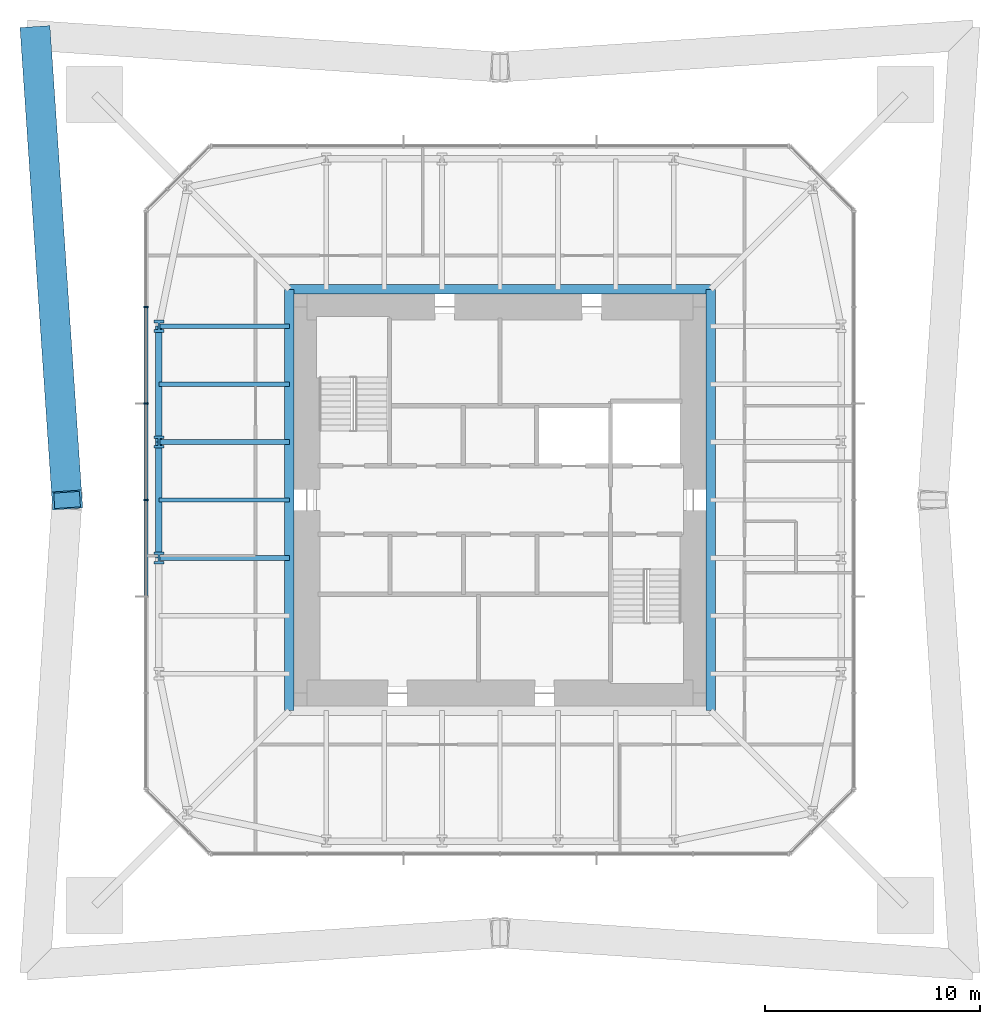
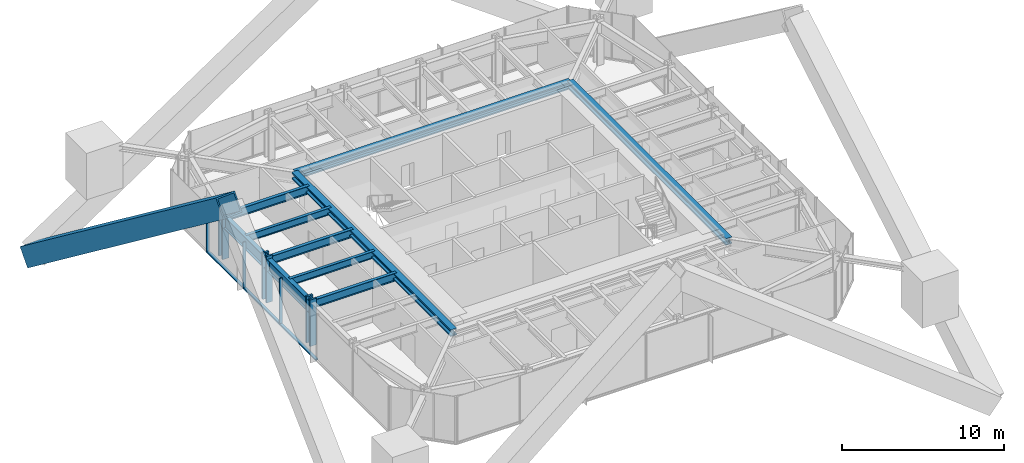
# One storey, part 3 of 11: 10 beams, 10 members, 1 element without a shape of its own.
"""IFC4 building model written with IfcOpenShell, lengths in metres."""

from ifc_helpers import new_model, si_unit, direction, frame, origin, origin_2d, place, context, subcontext, project, spatial, rectangle, hollow_rectangle, i_section, extrude, material, material_profile, profile_set, type_object, element, aggregate, save


model = new_model("IFC4")

# Units and contexts
model_context = context("Model", 3, precision=1e-05, world=origin(), true_north=direction((0.0, 1.0)))
body_context = subcontext(model_context, "Body", "Model", "MODEL_VIEW")
ifc_project = project(units=[si_unit("LENGTHUNIT", "METRE"), si_unit("AREAUNIT", "SQUARE_METRE"), si_unit("VOLUMEUNIT", "CUBIC_METRE"), si_unit("PLANEANGLEUNIT", "RADIAN"), si_unit("MASSUNIT", "GRAM", prefix="KILO")], contexts=[model_context])

# Site, building, storey
site_placement = place(None, origin())
site = spatial("IfcSite", under=ifc_project, at=site_placement, CompositionType="ELEMENT")
building_placement = place(site_placement, origin())
building = spatial("IfcBuilding", under=site, at=building_placement, Name="Iwan Alto Co-Living Towers", CompositionType="ELEMENT")
storey_placement = place(building_placement, frame((0.0, 0.0, 215.0)))
storey = spatial("IfcBuildingStorey", under=building, at=storey_placement, Name="L58", CompositionType="ELEMENT", Elevation=215.0)

# Curtain wall, members
ifc_material_1 = material(Name="Bronze aluminium unitised frame", Category="aluminium")
curtain_wall_type = type_object("IfcCurtainWallType", Name="CURTAIN WALL CW-A", PredefinedType="NOTDEFINED", material=ifc_material_1)
curtain_wall_placement = place(storey_placement, origin())
curtain_wall = element("IfcCurtainWall", 1, at=curtain_wall_placement, inside=storey, type_object=curtain_wall_type, Name="T1 curtain wall W L58", PredefinedType="NOTDEFINED")
ifc_material_2 = material(Name="Aluminium 6063-T6 bronze anodised", Category="aluminium")
ifc_material_profile_1 = material_profile(ifc_material_2, rectangle(XDim=0.199951171875, YDim=0.080078125, at=origin_2d()), Name="AL 80X200")
ifc_profile_set_1 = profile_set([ifc_material_profile_1], Name="Aluminium 6063-T6 bronze anodised")
member_type_1 = type_object("IfcMemberType", Name="CW-A MULLION 80X200", PredefinedType="MULLION", material=ifc_profile_set_1)
member_1_placement = place(storey_placement, frame((-16.5, 9.0, 0.0), z_axis=(0.0, 0.0, 1.0), x_axis=(1.0, 0.0, 0.0)))
member_1 = element("IfcMember", 2, at=member_1_placement, type_object=member_type_1, Name="CW-A mullion 2", PredefinedType="MULLION", context=body_context, shape_type="SweptSolid", body=[
    extrude(rectangle(XDim=0.199951171875, YDim=0.080078125, at=origin_2d()), origin(), (0.0, 0.0, 1.0), 3.5),
])
member_2_placement = place(storey_placement, frame((-16.5, 4.5, 0.0), z_axis=(0.0, 0.0, 1.0), x_axis=(1.0, 0.0, 0.0)))
member_2 = element("IfcMember", 3, at=member_2_placement, type_object=member_type_1, Name="CW-A mullion 3", PredefinedType="MULLION", context=body_context, shape_type="SweptSolid", body=[
    extrude(rectangle(XDim=0.199951171875, YDim=0.080078125, at=origin_2d()), origin(), (0.0, 0.0, 1.0), 3.5),
])
member_3_placement = place(storey_placement, frame((-16.5, 0.0, 0.0), z_axis=(0.0, 0.0, 1.0), x_axis=(1.0, 0.0, 0.0)))
member_3 = element("IfcMember", 4, at=member_3_placement, type_object=member_type_1, Name="CW-A mullion 4", PredefinedType="MULLION", context=body_context, shape_type="SweptSolid", body=[
    extrude(rectangle(XDim=0.199951171875, YDim=0.080078125, at=origin_2d()), origin(), (0.0, 0.0, 1.0), 3.5),
])
ifc_material_3 = material(Name="Aluminium 6063-T6 bronze anodised", Category="aluminium")
ifc_material_profile_2 = material_profile(ifc_material_3, rectangle(XDim=0.199951171875, YDim=0.10009765625, at=origin_2d()), Name="AL 200X100")
ifc_profile_set_2 = profile_set([ifc_material_profile_2], Name="Aluminium 6063-T6 bronze anodised")
member_type_2 = type_object("IfcMemberType", Name="CW-A TRANSOM 200X100", PredefinedType="USERDEFINED", material=ifc_profile_set_2)
member_4_placement = place(storey_placement, frame((-16.5, 8.9599609375, 0.050048828125), z_axis=(0.0, -1.0, 0.0), x_axis=(1.0, 0.0, 0.0)))
member_4 = element("IfcMember", 5, at=member_4_placement, type_object=member_type_2, Name="CW-A transom 2.1", ObjectType="TRANSOM", PredefinedType="USERDEFINED", context=body_context, shape_type="SweptSolid", body=[
    extrude(rectangle(XDim=0.199951171875, YDim=0.10009765625, at=origin_2d()), origin(), (0.0, 0.0, 1.0), 4.419921875),
])
member_5_placement = place(storey_placement, frame((-16.5, 4.4599609375, 0.050048828125), z_axis=(0.0, -1.0, 0.0), x_axis=(1.0, 0.0, 0.0)))
member_5 = element("IfcMember", 6, at=member_5_placement, type_object=member_type_2, Name="CW-A transom 3.1", ObjectType="TRANSOM", PredefinedType="USERDEFINED", context=body_context, shape_type="SweptSolid", body=[
    extrude(rectangle(XDim=0.199951171875, YDim=0.10009765625, at=origin_2d()), origin(), (0.0, 0.0, 1.0), 4.419921875),
])
member_6_placement = place(storey_placement, frame((-16.5, -0.0400390625, 0.050048828125), z_axis=(0.0, -1.0, 0.0), x_axis=(1.0, 0.0, 0.0)))
member_6 = element("IfcMember", 7, at=member_6_placement, type_object=member_type_2, Name="CW-A transom 4.1", ObjectType="TRANSOM", PredefinedType="USERDEFINED", context=body_context, shape_type="SweptSolid", body=[
    extrude(rectangle(XDim=0.199951171875, YDim=0.10009765625, at=origin_2d()), origin(), (0.0, 0.0, 1.0), 4.419921875),
])
aggregate(curtain_wall, [member_1, member_2, member_3, member_4, member_5, member_6])

# Beams
ifc_material_4 = material(Name="Steel ASTM A992 Gr 50", Category="steel")
ifc_material_profile_3 = material_profile(ifc_material_4, i_section(OverallWidth=0.436767578125, OverallDepth=0.51318359375, WebThickness=0.060546875, FlangeThickness=0.096923828125, at=origin_2d()), Name="W14X550")
ifc_profile_set_3 = profile_set([ifc_material_profile_3], Name="Steel ASTM A992 Gr 50")
beam_type_1 = type_object("IfcBeamType", Name="T1 CORE LEDGER BEAM W14X550", PredefinedType="BEAM", material=ifc_profile_set_3)
for number, where, z_axis, x_axis, name in (
    (8, (9.818359375, -9.818359375, 3.013427734375), (0.0, 1.0, 0.0), (-1.0, 0.0, 0.0), "T1 core ledger beam E L59"),
    (9, (9.818359375, 9.818359375, 3.013427734375), (-1.0, 0.0, 0.0), (0.0, -1.0, 0.0), "T1 core ledger beam N L59"),
    (10, (-9.818359375, 9.818359375, 3.013427734375), (0.0, -1.0, 0.0), (1.0, 0.0, 0.0), "T1 core ledger beam W L59"),
):
    element("IfcBeam", number, at=place(storey_placement, frame(where, z_axis=z_axis, x_axis=x_axis)), inside=storey, type_object=beam_type_1, Name=name, PredefinedType="BEAM", context=body_context, shape_type="SweptSolid", body=[
        extrude(i_section(OverallWidth=0.436767578125, OverallDepth=0.51318359375, WebThickness=0.060546875, FlangeThickness=0.096923828125, at=origin_2d()), origin(), (0.0, 0.0, 1.0), 19.63671875),
    ])
ifc_material_5 = material(Name="Steel ASTM A992 Gr 50", Category="steel")
ifc_material_profile_4 = material_profile(ifc_material_5, i_section(OverallWidth=0.307373046875, OverallDepth=0.927001953125, WebThickness=0.01953125, FlangeThickness=0.031982421875, at=origin_2d()), Name="W36X194")
ifc_profile_set_4 = profile_set([ifc_material_profile_4], Name="Steel ASTM A992 Gr 50")
beam_type_2 = type_object("IfcBeamType", Name="T1 EDGE BEAM W36X194", PredefinedType="BEAM", material=ifc_profile_set_4)
beam_1_placement = place(storey_placement, frame((-15.89990234375, 8.10009765625, 2.806396484375), z_axis=(0.0, -1.0, 0.0), x_axis=(1.0, 0.0, 0.0)))
element("IfcBeam", 11, at=beam_1_placement, inside=storey, type_object=beam_type_2, Name="T1 edge beam W1 L59", PredefinedType="BEAM", context=body_context, shape_type="SweptSolid", body=[
    extrude(i_section(OverallWidth=0.307373046875, OverallDepth=0.927001953125, WebThickness=0.01953125, FlangeThickness=0.031982421875, at=origin_2d()), origin(), (0.0, 0.0, 1.0), 5.400146484375),
])
beam_2_placement = place(storey_placement, frame((-15.89990234375, 2.699951171875, 2.806396484375), z_axis=(0.0, -1.0, 0.0), x_axis=(1.0, 0.0, 0.0)))
element("IfcBeam", 12, at=beam_2_placement, inside=storey, type_object=beam_type_2, Name="T1 edge beam W2 L59", PredefinedType="BEAM", context=body_context, shape_type="SweptSolid", body=[
    extrude(i_section(OverallWidth=0.307373046875, OverallDepth=0.927001953125, WebThickness=0.01953125, FlangeThickness=0.031982421875, at=origin_2d()), origin(), (0.0, 0.0, 1.0), 5.39990234375),
])

# Member
ifc_material_6 = material(Name="Steel ASTM A572 Gr 50", Category="steel")
ifc_material_profile_5 = material_profile(ifc_material_6, hollow_rectangle(XDim=1.39990234375, YDim=1.39990234375, WallThickness=0.10009765625, at=origin_2d()), Name="BOX 1400X1400X100")
ifc_profile_set_5 = profile_set([ifc_material_profile_5], Name="Steel ASTM A572 Gr 50")
member_type_3 = type_object("IfcMemberType", Name="T1 MEGA BRACE BOX 1400X1400X100", PredefinedType="BRACE", material=ifc_profile_set_5)
member_7_placement = place(storey_placement, frame((-21.64990234375, 21.64990234375, -6.0), z_axis=(0.054119059235, -0.797999656611, 0.600223021448), x_axis=(0.997708234793, 0.067662975304, 0.0)))
element("IfcMember", 13, at=member_7_placement, inside=storey, type_object=member_type_3, Name="T1 mega brace Z4A W 1 lower", PredefinedType="BRACE", context=body_context, shape_type="SweptSolid", body=[
    extrude(hollow_rectangle(XDim=1.39990234375, YDim=1.39990234375, WallThickness=0.10009765625, at=origin_2d()), origin(), (0.0, 0.0, 1.0), 27.130126953125),
])

# Beams
ifc_material_7 = material(Name="Steel ASTM A992 Gr 50", Category="steel")
ifc_material_profile_6 = material_profile(ifc_material_7, i_section(OverallWidth=0.228271484375, OverallDepth=0.607177734375, WebThickness=0.01123046875, FlangeThickness=0.017333984375, at=origin_2d()), Name="W24X76")
ifc_profile_set_6 = profile_set([ifc_material_profile_6], Name="Steel ASTM A992 Gr 50")
beam_type_3 = type_object("IfcBeamType", Name="T1 RADIAL BEAM W24X76", PredefinedType="BEAM", material=ifc_profile_set_6)
for number, where, z_axis, x_axis, name in (
    (14, (-15.89990234375, 8.10009765625, 2.966552734375), (1.0, 0.0, 0.0), (0.0, 1.0, 0.0), "T1 radial beam W1 L59"),
    (15, (-15.89990234375, 2.699951171875, 2.966552734375), (1.0, 0.0, 0.0), (0.0, 1.0, 0.0), "T1 radial beam W2 L59"),
    (16, (-15.89990234375, -2.699951171875, 2.966552734375), (1.0, 0.0, 0.0), (0.0, 1.0, 0.0), "T1 radial beam W3 L59"),
):
    element("IfcBeam", number, at=place(storey_placement, frame(where, z_axis=z_axis, x_axis=x_axis)), inside=storey, type_object=beam_type_3, Name=name, PredefinedType="BEAM", context=body_context, shape_type="SweptSolid", body=[
        extrude(i_section(OverallWidth=0.228271484375, OverallDepth=0.607177734375, WebThickness=0.01123046875, FlangeThickness=0.017333984375, at=origin_2d()), origin(), (0.0, 0.0, 1.0), 6.08154296875),
    ])

# Members
ifc_material_8 = material(Name="Steel ASTM A992 Gr 50", Category="steel")
ifc_material_profile_7 = material_profile(ifc_material_8, i_section(OverallWidth=0.45458984375, OverallDepth=0.56884765625, WebThickness=0.077880859375, FlangeThickness=0.124755859375, at=origin_2d()), Name="W14X730")
ifc_profile_set_7 = profile_set([ifc_material_profile_7], Name="Steel ASTM A992 Gr 50")
member_type_4 = type_object("IfcMemberType", Name="T1 RING POST AT STEP W14X730", PredefinedType="MEMBER", material=ifc_profile_set_7)
for number, where, z_axis, x_axis, name in (
    (17, (-15.89990234375, 8.10009765625, 0.0), (0.0, 0.0, 1.0), (1.0, 0.0, 0.0), "T1 ring post at step W1 L58"),
    (18, (-15.89990234375, 2.699951171875, 0.0), (0.0, 0.0, 1.0), (1.0, 0.0, 0.0), "T1 ring post at step W2 L58"),
    (19, (-15.89990234375, -2.699951171875, 0.0), (0.0, 0.0, 1.0), (1.0, 0.0, 0.0), "T1 ring post at step W3 L58"),
):
    element("IfcMember", number, at=place(storey_placement, frame(where, z_axis=z_axis, x_axis=x_axis)), inside=storey, type_object=member_type_4, Name=name, PredefinedType="MEMBER", context=body_context, shape_type="SweptSolid", body=[
        extrude(i_section(OverallWidth=0.45458984375, OverallDepth=0.56884765625, WebThickness=0.077880859375, FlangeThickness=0.124755859375, at=origin_2d()), origin(), (0.0, 0.0, 1.0), 3.5),
    ])

# Beams
ifc_material_9 = material(Name="Steel ASTM A992 Gr 50", Category="steel")
ifc_material_profile_8 = material_profile(ifc_material_9, i_section(OverallWidth=0.209228515625, OverallDepth=0.533447265625, WebThickness=0.01025390625, FlangeThickness=0.015625, at=origin_2d()), Name="W21X62")
ifc_profile_set_8 = profile_set([ifc_material_profile_8], Name="Steel ASTM A992 Gr 50")
beam_type_4 = type_object("IfcBeamType", Name="T1 SECONDARY BEAM W21X62", PredefinedType="JOIST", material=ifc_profile_set_8)
for number, where, z_axis, x_axis, name in (
    (20, (-15.89990234375, 5.39990234375, 3.00341796875), (1.0, 0.0, 0.0), (0.0, 1.0, 0.0), "T1 secondary beam W1 L59"),
    (21, (-15.89990234375, 0.0, 3.00341796875), (1.0, 0.0, 0.0), (0.0, 1.0, 0.0), "T1 secondary beam W2 L59"),
):
    element("IfcBeam", number, at=place(storey_placement, frame(where, z_axis=z_axis, x_axis=x_axis)), inside=storey, type_object=beam_type_4, Name=name, PredefinedType="JOIST", context=body_context, shape_type="SweptSolid", body=[
        extrude(i_section(OverallWidth=0.209228515625, OverallDepth=0.533447265625, WebThickness=0.01025390625, FlangeThickness=0.015625, at=origin_2d()), origin(), (0.0, 0.0, 1.0), 6.08154296875),
    ])

save(model, "model.ifc")
